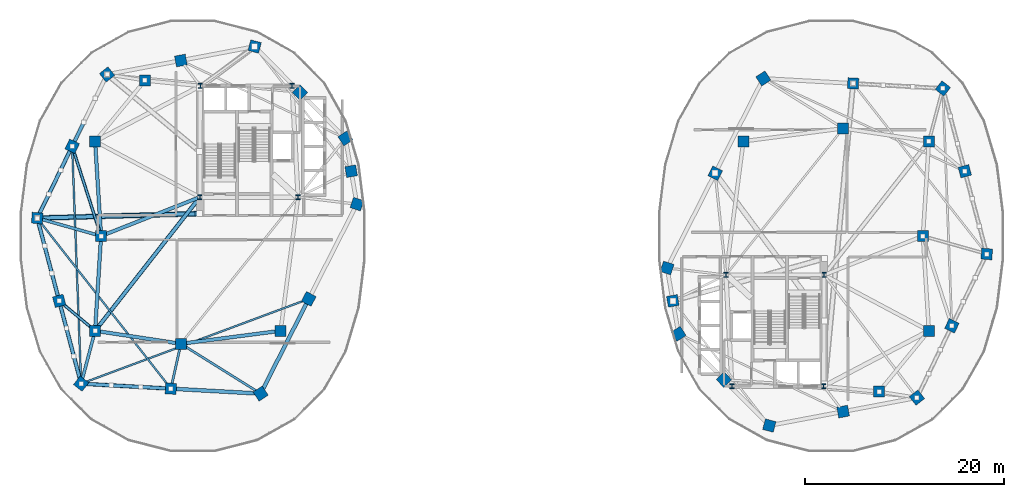
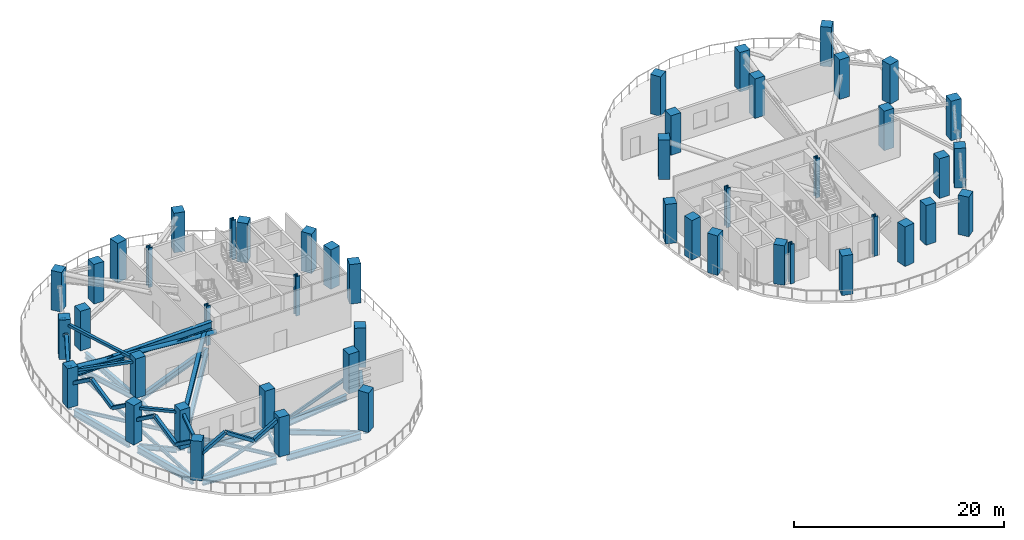
# One storey, part 1 of 12: 48 columns, 20 beams, 19 members.
"""IFC4 building model written with IfcOpenShell, lengths in metres."""

from ifc_helpers import new_model, si_unit, direction, frame, origin, origin_2d, place, context, subcontext, project, spatial, rectangle, hollow_rectangle, hollow_circle, i_section, extrude, material, material_profile, profile_set, type_object, element, save


model = new_model("IFC4")

# Units and contexts
model_context = context("Model", 3, precision=1e-05, world=origin(), true_north=direction((0.0, 1.0)))
body_context = subcontext(model_context, "Body", "Model", "MODEL_VIEW")
ifc_project = project(units=[si_unit("LENGTHUNIT", "METRE"), si_unit("AREAUNIT", "SQUARE_METRE"), si_unit("VOLUMEUNIT", "CUBIC_METRE"), si_unit("PLANEANGLEUNIT", "RADIAN"), si_unit("MASSUNIT", "GRAM", prefix="KILO"), si_unit("THERMODYNAMICTEMPERATUREUNIT", "KELVIN"), si_unit("POWERUNIT", "WATT")], contexts=[model_context])

# Site, building, storey
site_placement = place(None, origin())
site = spatial("IfcSite", under=ifc_project, at=site_placement, CompositionType="ELEMENT")
building_placement = place(site_placement, origin())
building = spatial("IfcBuilding", under=site, at=building_placement, Name="Cundina Bronze Exchange", CompositionType="ELEMENT")
storey_placement = place(building_placement, frame((0.0, 0.0, 132.199951171875)))
storey = spatial("IfcBuildingStorey", under=building, at=storey_placement, Name="L34", CompositionType="ELEMENT", Elevation=132.199951171875)

# Columns
ifc_material_1 = material(Name="Steel ASTM A992 Grade 50", Category="steel")
ifc_material_profile_1 = material_profile(ifc_material_1, i_section(OverallWidth=0.431884765625, OverallDepth=0.498046875, WebThickness=0.0556640625, FlangeThickness=0.0888671875, FilletRadius=0.01806640625, at=origin_2d()), Name="W14X500", Category="steel")
ifc_profile_set_1 = profile_set([ifc_material_profile_1], Name="Steel ASTM A992 Grade 50")
column_type_1 = type_object("IfcColumnType", Name="COL-STL-W14A", PredefinedType="COLUMN", material=ifc_profile_set_1)
for number, where, z_axis, x_axis, name in (
    (1, (-31.300048828125, 3.89990234375, 0.0), (0.0, 0.0, 1.0), (1.0, 0.0, 0.0), "L34 Core Anchor Column W1"),
    (2, (-21.449951171875, 3.89990234375, 0.0), (0.0, 0.0, 1.0), (1.0, 0.0, 0.0), "L34 Core Anchor Column W2"),
    (3, (-22.050048828125, 15.050048828125, 0.0), (0.0, 0.0, 1.0), (1.0, 0.0, 0.0), "L34 Core Anchor Column W3"),
    (4, (-31.25, 15.050048828125, 0.0), (0.0, 0.0, 1.0), (1.0, 0.0, 0.0), "L34 Core Anchor Column W4"),
    (5, (31.300048828125, -3.89990234375, 0.0), (0.0, 0.0, 1.0), (1.0, 0.0, 0.0), "L34 Core Anchor Column E1"),
    (6, (21.449951171875, -3.89990234375, 0.0), (0.0, 0.0, 1.0), (1.0, 0.0, 0.0), "L34 Core Anchor Column E2"),
    (7, (22.050048828125, -15.050048828125, 0.0), (0.0, 0.0, 1.0), (1.0, 0.0, 0.0), "L34 Core Anchor Column E3"),
    (8, (31.25, -15.050048828125, 0.0), (0.0, 0.0, 1.0), (1.0, 0.0, 0.0), "L34 Core Anchor Column E4"),
):
    element("IfcColumn", number, at=place(storey_placement, frame(where, z_axis=z_axis, x_axis=x_axis)), inside=storey, type_object=column_type_1, Name=name, PredefinedType="COLUMN", context=body_context, shape_type="SweptSolid", body=[
        extrude(i_section(OverallWidth=0.431884765625, OverallDepth=0.498046875, WebThickness=0.0556640625, FlangeThickness=0.0888671875, FilletRadius=0.01806640625, at=origin_2d()), origin(), (0.0, 0.0, 1.0), 4.60009765625),
    ])
ifc_material_2 = material(Name="Concrete C60/75", Category="concrete")
ifc_material_profile_2 = material_profile(ifc_material_2, rectangle(XDim=1.10009765625, YDim=1.10009765625, at=origin_2d()), Name="RC1100X1100", Category="concrete")
ifc_profile_set_2 = profile_set([ifc_material_profile_2], Name="Concrete C60/75")
column_type_2 = type_object("IfcColumnType", Name="COL-Z2-1100", PredefinedType="COLUMN", material=ifc_profile_set_2)
for number, where, z_axis, x_axis, name in (
    (9, (-41.199951171875, 0.0, 0.0), (0.0, 0.0, 1.0), (1.0, 0.0, 0.0), "L34 W Inner Ring Column 1"),
    (10, (-41.800048828125, 9.5, 0.0), (0.0, 0.0, 1.0), (1.0, 0.0, 0.0), "L34 W Inner Ring Column 2"),
    (11, (-36.800048828125, 15.60009765625, 0.0), (0.0, 0.0, 1.0), (1.0, 0.0, 0.0), "L34 W Inner Ring Column 3"),
    (12, (-41.800048828125, -9.5, 0.0), (0.0, 0.0, 1.0), (1.0, 0.0, 0.0), "L34 W Inner Ring Column 4"),
    (13, (-33.199951171875, -10.800048828125, 0.0), (0.0, 0.0, 1.0), (1.0, 0.0, 0.0), "L34 W Inner Ring Column 5"),
    (14, (-23.199951171875, -9.5, 0.0), (0.0, 0.0, 1.0), (1.0, 0.0, 0.0), "L34 W Inner Ring Column 6"),
    (15, (41.199951171875, 0.0, 0.0), (0.0, 0.0, 1.0), (1.0, 0.0, 0.0), "L34 E Inner Ring Column 1"),
    (16, (41.800048828125, -9.5, 0.0), (0.0, 0.0, 1.0), (1.0, 0.0, 0.0), "L34 E Inner Ring Column 2"),
    (17, (36.800048828125, -15.60009765625, 0.0), (0.0, 0.0, 1.0), (1.0, 0.0, 0.0), "L34 E Inner Ring Column 3"),
    (18, (41.800048828125, 9.5, 0.0), (0.0, 0.0, 1.0), (1.0, 0.0, 0.0), "L34 E Inner Ring Column 4"),
    (19, (33.199951171875, 10.800048828125, 0.0), (0.0, 0.0, 1.0), (1.0, 0.0, 0.0), "L34 E Inner Ring Column 5"),
    (20, (23.199951171875, 9.5, 0.0), (0.0, 0.0, 1.0), (1.0, 0.0, 0.0), "L34 E Inner Ring Column 6"),
    (21, (-15.550048828125, 3.199951171875, 0.0), (0.0, 0.0, 1.0), (0.315152163383, 0.949041155016, 0.0), "L34 W Perimeter Column 00"),
    (22, (-16.125, 6.5, 0.0), (0.0, 0.0, 1.0), (-0.171585221787, 0.985169280715, 0.0), "L34 W Perimeter Column 01"),
    (23, (-16.699951171875, 9.800048828125, 0.0), (0.0, 0.0, 1.0), (-0.544199833495, 0.838955625301, 0.0), "L34 W Perimeter Column 02"),
    (24, (-21.25, 14.39990234375, 0.0), (0.0, 0.0, 1.0), (-0.703270634186, 0.710922228581, 0.0), "L34 W Perimeter Column 03"),
    (25, (-25.800048828125, 19.0, 0.0), (0.0, 0.0, 1.0), (-0.965970984022, 0.258650455301, 0.0), "L34 W Perimeter Column 04"),
    (26, (-33.199951171875, 17.60009765625, 0.0), (0.0, 0.0, 1.0), (-0.98258037664, -0.185838110843, 0.0), "L34 W Perimeter Column 05"),
    (27, (-40.60009765625, 16.199951171875, 0.0), (0.0, 0.0, 1.0), (-0.785100778485, -0.619368038909, 0.0), "L34 W Perimeter Column 06"),
    (28, (-44.10009765625, 9.0, 0.0), (0.0, 0.0, 1.0), (-0.437115766651, -0.899405251566, 0.0), "L34 W Perimeter Column 07"),
    (29, (-47.60009765625, 1.800048828125, 0.0), (0.0, 0.0, 1.0), (-0.083503921245, -0.996507448611, 0.0), "L34 W Perimeter Column 08"),
    (30, (-45.39990234375, -6.5, 0.0), (0.0, 0.0, 1.0), (0.256289373133, -0.966600102017, 0.0), "L34 W Perimeter Column 09"),
    (31, (-43.199951171875, -14.800048828125, 0.0), (0.0, 0.0, 1.0), (0.786288432137, -0.61785961309, 0.0), "L34 W Perimeter Column 10"),
    (32, (-34.199951171875, -15.300048828125, 0.0), (0.0, 0.0, 1.0), (0.998460188734, -0.055472980025, 0.0), "L34 W Perimeter Column 11"),
    (33, (-25.199951171875, -15.800048828125, 0.0), (0.0, 0.0, 1.0), (0.838099763533, 0.545516989988, 0.0), "L34 W Perimeter Column 12"),
    (34, (-20.375, -6.300048828125, 0.0), (0.0, 0.0, 1.0), (0.452901591366, 0.891560513111, 0.0), "L34 W Perimeter Column 13"),
    (35, (15.550048828125, -3.199951171875, 0.0), (0.0, 0.0, 1.0), (-0.315152163383, -0.949041155016, 0.0), "L34 E Perimeter Column 00"),
    (36, (16.125, -6.5, 0.0), (0.0, 0.0, 1.0), (0.171585221787, -0.985169280715, 0.0), "L34 E Perimeter Column 01"),
    (37, (16.699951171875, -9.800048828125, 0.0), (0.0, 0.0, 1.0), (0.544199833495, -0.838955625301, 0.0), "L34 E Perimeter Column 02"),
    (38, (21.25, -14.39990234375, 0.0), (0.0, 0.0, 1.0), (0.703270634186, -0.710922228581, 0.0), "L34 E Perimeter Column 03"),
    (39, (25.800048828125, -19.0, 0.0), (0.0, 0.0, 1.0), (0.965970984022, -0.258650455301, 0.0), "L34 E Perimeter Column 04"),
    (40, (33.199951171875, -17.60009765625, 0.0), (0.0, 0.0, 1.0), (0.98258037664, 0.185838110843, 0.0), "L34 E Perimeter Column 05"),
    (41, (40.60009765625, -16.199951171875, 0.0), (0.0, 0.0, 1.0), (0.785100778485, 0.619368038909, 0.0), "L34 E Perimeter Column 06"),
    (42, (44.10009765625, -9.0, 0.0), (0.0, 0.0, 1.0), (0.437115766651, 0.899405251566, 0.0), "L34 E Perimeter Column 07"),
    (43, (47.60009765625, -1.800048828125, 0.0), (0.0, 0.0, 1.0), (0.083503921245, 0.996507448611, 0.0), "L34 E Perimeter Column 08"),
    (44, (45.39990234375, 6.5, 0.0), (0.0, 0.0, 1.0), (-0.256289373133, 0.966600102017, 0.0), "L34 E Perimeter Column 09"),
    (45, (43.199951171875, 14.800048828125, 0.0), (0.0, 0.0, 1.0), (-0.786288432137, 0.61785961309, 0.0), "L34 E Perimeter Column 10"),
    (46, (34.199951171875, 15.300048828125, 0.0), (0.0, 0.0, 1.0), (-0.998460188734, 0.055472980025, 0.0), "L34 E Perimeter Column 11"),
    (47, (25.199951171875, 15.800048828125, 0.0), (0.0, 0.0, 1.0), (-0.838099763533, -0.545516989988, 0.0), "L34 E Perimeter Column 12"),
    (48, (20.375, 6.300048828125, 0.0), (0.0, 0.0, 1.0), (-0.452901591366, -0.891560513111, 0.0), "L34 E Perimeter Column 13"),
):
    element("IfcColumn", number, at=place(storey_placement, frame(where, z_axis=z_axis, x_axis=x_axis)), inside=storey, type_object=column_type_2, Name=name, PredefinedType="COLUMN", context=body_context, shape_type="SweptSolid", body=[
        extrude(rectangle(XDim=1.10009765625, YDim=1.10009765625, at=origin_2d()), origin(), (0.0, 0.0, 1.0), 4.60009765625),
    ])

# Beams
ifc_material_profile_3 = material_profile(ifc_material_1, i_section(OverallWidth=0.22998046875, OverallDepth=0.616943359375, WebThickness=0.01318359375, FlangeThickness=0.022216796875, FilletRadius=0.013916015625, at=origin_2d()), Name="W24X94", Category="steel")
ifc_profile_set_3 = profile_set([ifc_material_profile_3], Name="Steel ASTM A992 Grade 50")
beam_type_1 = type_object("IfcBeamType", Name="BM-FLR-W24B", PredefinedType="BEAM", material=ifc_profile_set_3)
beam_1_placement = place(storey_placement, frame((-41.364990234375, 0.51220703125, -0.58837890625), z_axis=(-0.306710777581, 0.951802762612, 0.0), x_axis=(-0.951802762612, -0.306710777581, 0.0)))
element("IfcBeam", 49, at=beam_1_placement, inside=storey, type_object=beam_type_1, Name="L34 Leg W Radial Floor Beam 07", PredefinedType="BEAM", context=body_context, shape_type="SweptSolid", body=[
    extrude(i_section(OverallWidth=0.22998046875, OverallDepth=0.616943359375, WebThickness=0.01318359375, FlangeThickness=0.022216796875, FilletRadius=0.013916015625, at=origin_2d()), origin(), (0.0, 0.0, 1.0), 8.37939453125),
])
beam_2_placement = place(storey_placement, frame((-42.21337890625, -9.155517578125, -0.58837890625), z_axis=(-0.768243451945, 0.640157791911, 0.0), x_axis=(-0.640157791911, -0.768243451945, 0.0)))
element("IfcBeam", 50, at=beam_2_placement, inside=storey, type_object=beam_type_1, Name="L34 Leg W Radial Floor Beam 09", PredefinedType="BEAM", context=body_context, shape_type="SweptSolid", body=[
    extrude(i_section(OverallWidth=0.22998046875, OverallDepth=0.616943359375, WebThickness=0.01318359375, FlangeThickness=0.022216796875, FilletRadius=0.013916015625, at=origin_2d()), origin(), (0.0, 0.0, 1.0), 3.610107421875),
])
beam_3_placement = place(storey_placement, frame((-33.316650390625, -11.3251953125, -0.58837890625), z_axis=(-0.216930457819, -0.976187060184, 0.0), x_axis=(0.976187060184, -0.216930457819, 0.0)))
element("IfcBeam", 51, at=beam_3_placement, inside=storey, type_object=beam_type_1, Name="L34 Leg W Radial Floor Beam 11", PredefinedType="BEAM", context=body_context, shape_type="SweptSolid", body=[
    extrude(i_section(OverallWidth=0.22998046875, OverallDepth=0.616943359375, WebThickness=0.01318359375, FlangeThickness=0.022216796875, FilletRadius=0.013916015625, at=origin_2d()), origin(), (0.0, 0.0, 1.0), 3.533935546875),
])
beam_4_placement = place(storey_placement, frame((-32.743896484375, -11.085205078125, -0.58837890625), z_axis=(0.848003227047, -0.529991063055, 0.0), x_axis=(0.529991063055, 0.848003227047, 0.0)))
element("IfcBeam", 52, at=beam_4_placement, inside=storey, type_object=beam_type_1, Name="L34 Leg W Radial Floor Beam 12", PredefinedType="BEAM", context=body_context, shape_type="SweptSolid", body=[
    extrude(i_section(OverallWidth=0.22998046875, OverallDepth=0.616943359375, WebThickness=0.01318359375, FlangeThickness=0.022216796875, FilletRadius=0.013916015625, at=origin_2d()), origin(), (0.0, 0.0, 1.0), 8.358154296875),
])
ifc_material_profile_4 = material_profile(ifc_material_1, i_section(OverallWidth=0.178955078125, OverallDepth=0.409912109375, WebThickness=0.0087890625, FlangeThickness=0.014404296875, FilletRadius=0.010986328125, at=origin_2d()), Name="W16X45", Category="steel")
ifc_profile_set_4 = profile_set([ifc_material_profile_4], Name="Steel ASTM A992 Grade 50")
beam_type_2 = type_object("IfcBeamType", Name="BM-JST-W16", PredefinedType="JOIST", material=ifc_profile_set_4)
beam_5_placement = place(storey_placement, frame((-44.07958984375, 8.46240234375, -0.48486328125), z_axis=(0.03778951385, -0.999285721224, 0.0), x_axis=(0.999285721224, 0.03778951385, 0.0)))
element("IfcBeam", 53, at=beam_5_placement, inside=storey, type_object=beam_type_2, Name="L34 Leg W Lobe Floor Joist 07-10", PredefinedType="JOIST", context=body_context, shape_type="SweptSolid", body=[
    extrude(i_section(OverallWidth=0.178955078125, OverallDepth=0.409912109375, WebThickness=0.0087890625, FlangeThickness=0.014404296875, FilletRadius=0.010986328125, at=origin_2d()), origin(), (0.0, 0.0, 1.0), 22.7412109375),
])
beam_6_placement = place(storey_placement, frame((-47.268310546875, 1.37646484375, -0.48486328125), z_axis=(0.616815348306, -0.787107887201, 0.0), x_axis=(0.787107887201, 0.616815348306, 0.0)))
element("IfcBeam", 54, at=beam_6_placement, inside=storey, type_object=beam_type_2, Name="L34 Leg W Lobe Floor Joist 08-11", PredefinedType="JOIST", context=body_context, shape_type="SweptSolid", body=[
    extrude(i_section(OverallWidth=0.178955078125, OverallDepth=0.409912109375, WebThickness=0.0087890625, FlangeThickness=0.014404296875, FilletRadius=0.010986328125, at=origin_2d()), origin(), (0.0, 0.0, 1.0), 20.64892578125),
])
beam_7_placement = place(storey_placement, frame((-42.69580078125, -14.6123046875, -0.48486328125), z_axis=(0.937127917421, 0.348986054721, 0.0), x_axis=(-0.348986054721, 0.937127917421, 0.0)))
element("IfcBeam", 55, at=beam_7_placement, inside=storey, type_object=beam_type_2, Name="L34 Leg W Lobe Floor Joist 10-13", PredefinedType="JOIST", context=body_context, shape_type="SweptSolid", body=[
    extrude(i_section(OverallWidth=0.178955078125, OverallDepth=0.409912109375, WebThickness=0.0087890625, FlangeThickness=0.014404296875, FilletRadius=0.010986328125, at=origin_2d()), origin(), (0.0, 0.0, 1.0), 23.2802734375),
])
ifc_material_profile_5 = material_profile(ifc_material_1, i_section(OverallWidth=0.39990234375, OverallDepth=0.85498046875, WebThickness=0.018310546875, FlangeThickness=0.029296875, FilletRadius=0.02001953125, at=origin_2d()), Name="W33X201", Category="steel")
ifc_profile_set_5 = profile_set([ifc_material_profile_5], Name="Steel ASTM A992 Grade 50")
beam_type_3 = type_object("IfcBeamType", Name="BM-OUT-W33", PredefinedType="USERDEFINED", material=ifc_profile_set_5)
beam_8_placement = place(storey_placement, frame((-31.7998046875, 2.237548828125, 3.482666015625), z_axis=(-0.999616870117, -0.027678745936, 0.0), x_axis=(0.027678745936, -0.999616870117, 0.0)))
element("IfcBeam", 56, at=beam_8_placement, inside=storey, type_object=beam_type_3, Name="L34 W Outrigger Upper Tie Chord 3", ObjectType="GIRDER", PredefinedType="USERDEFINED", context=body_context, shape_type="SweptSolid", body=[
    extrude(i_section(OverallWidth=0.39990234375, OverallDepth=0.85498046875, WebThickness=0.018310546875, FlangeThickness=0.029296875, FilletRadius=0.02001953125, at=origin_2d()), origin(), (0.0, 0.0, 1.0), 15.268310546875),
])
ifc_material_profile_6 = material_profile(ifc_material_1, i_section(OverallWidth=0.35498046875, OverallDepth=0.695068359375, WebThickness=0.015380859375, FlangeThickness=0.02490234375, FilletRadius=0.01806640625, at=origin_2d()), Name="W27X146", Category="steel")
ifc_profile_set_6 = profile_set([ifc_material_profile_6], Name="Steel ASTM A992 Grade 50")
beam_type_4 = type_object("IfcBeamType", Name="BM-RING-W27", PredefinedType="USERDEFINED", material=ifc_profile_set_6)
for number, where, z_axis, x_axis, name in (
    (57, (-41.76611328125, 8.963134765625, -0.62744140625), (0.06303715519, -0.998011180832, 0.0), (0.998011180832, 0.06303715519, 0.0), "L34 W Inner Structural Ring Girder 03"),
    (58, (-41.23388671875, -0.536865234375, -0.62744140625), (-0.06303715519, -0.998011180832, 0.0), (0.998011180832, -0.06303715519, 0.0), "L34 W Inner Structural Ring Girder 04"),
):
    element("IfcBeam", number, at=place(storey_placement, frame(where, z_axis=z_axis, x_axis=x_axis)), inside=storey, type_object=beam_type_4, Name=name, ObjectType="GIRDER", PredefinedType="USERDEFINED", context=body_context, shape_type="SweptSolid", body=[
        extrude(i_section(OverallWidth=0.35498046875, OverallDepth=0.695068359375, WebThickness=0.015380859375, FlangeThickness=0.02490234375, FilletRadius=0.01806640625, at=origin_2d()), origin(), (0.0, 0.0, 1.0), 8.443115234375),
    ])
beam_9_placement = place(storey_placement, frame((-41.26806640625, -9.580322265625, -0.62744140625), z_axis=(0.988767489563, -0.149461873341, 0.0), x_axis=(0.149461873341, 0.988767489563, 0.0)))
element("IfcBeam", 59, at=beam_9_placement, inside=storey, type_object=beam_type_4, Name="L34 W Inner Structural Ring Girder 05", ObjectType="GIRDER", PredefinedType="USERDEFINED", context=body_context, shape_type="SweptSolid", body=[
    extrude(i_section(OverallWidth=0.35498046875, OverallDepth=0.695068359375, WebThickness=0.015380859375, FlangeThickness=0.02490234375, FilletRadius=0.01806640625, at=origin_2d()), origin(), (0.0, 0.0, 1.0), 7.621826171875),
])
beam_10_placement = place(storey_placement, frame((-32.66650390625, -10.730712890625, -0.62744140625), z_axis=(0.991654577907, 0.128923225666, 0.0), x_axis=(-0.128923225666, 0.991654577907, 0.0)))
element("IfcBeam", 60, at=beam_10_placement, inside=storey, type_object=beam_type_4, Name="L34 W Inner Structural Ring Girder 06", ObjectType="GIRDER", PredefinedType="USERDEFINED", context=body_context, shape_type="SweptSolid", body=[
    extrude(i_section(OverallWidth=0.35498046875, OverallDepth=0.695068359375, WebThickness=0.015380859375, FlangeThickness=0.02490234375, FilletRadius=0.01806640625, at=origin_2d()), origin(), (0.0, 0.0, 1.0), 9.00830078125),
])
beam_11_placement = place(storey_placement, frame((-31.48974609375, 3.8251953125, -0.62744140625), z_axis=(-0.930413235418, -0.366512225388, 0.0), x_axis=(0.366512225388, -0.930413235418, 0.0)))
element("IfcBeam", 61, at=beam_11_placement, inside=storey, type_object=beam_type_4, Name="L34 W Core-to-Waist Tie Beam 1", ObjectType="GIRDER", PredefinedType="USERDEFINED", context=body_context, shape_type="SweptSolid", body=[
    extrude(i_section(OverallWidth=0.35498046875, OverallDepth=0.695068359375, WebThickness=0.015380859375, FlangeThickness=0.02490234375, FilletRadius=0.01806640625, at=origin_2d()), origin(), (0.0, 0.0, 1.0), 9.8984375),
])
beam_12_placement = place(storey_placement, frame((-31.42578125, 3.739501953125, -0.62744140625), z_axis=(-0.616789275748, -0.787128318206, 0.0), x_axis=(0.787128318206, -0.616789275748, 0.0)))
element("IfcBeam", 62, at=beam_12_placement, inside=storey, type_object=beam_type_4, Name="L34 W Core-to-Waist Tie Beam 3", ObjectType="GIRDER", PredefinedType="USERDEFINED", context=body_context, shape_type="SweptSolid", body=[
    extrude(i_section(OverallWidth=0.35498046875, OverallDepth=0.695068359375, WebThickness=0.015380859375, FlangeThickness=0.02490234375, FilletRadius=0.01806640625, at=origin_2d()), origin(), (0.0, 0.0, 1.0), 16.281982421875),
])
ifc_material_profile_7 = material_profile(ifc_material_1, i_section(OverallWidth=0.381103515625, OverallDepth=0.77294921875, WebThickness=0.0166015625, FlangeThickness=0.027099609375, FilletRadius=0.01904296875, at=origin_2d()), Name="W30X173", Category="steel")
ifc_profile_set_7 = profile_set([ifc_material_profile_7], Name="Steel ASTM A992 Grade 50")
beam_type_5 = type_object("IfcBeamType", Name="BM-RING-W30", PredefinedType="USERDEFINED", material=ifc_profile_set_7)
beam_13_placement = place(storey_placement, frame((-44.335205078125, 8.51611328125, -0.66650390625), z_axis=(-0.437193894283, -0.899367276924, 0.0), x_axis=(0.899367276924, -0.437193894283, 0.0)))
element("IfcBeam", 63, at=beam_13_placement, inside=storey, type_object=beam_type_5, Name="L34 W Perimeter Ring Girder 07", ObjectType="GIRDER", PredefinedType="USERDEFINED", context=body_context, shape_type="SweptSolid", body=[
    extrude(i_section(OverallWidth=0.381103515625, OverallDepth=0.77294921875, WebThickness=0.0166015625, FlangeThickness=0.027099609375, FilletRadius=0.01904296875, at=origin_2d()), origin(), (0.0, 0.0, 1.0), 6.929443359375),
])
for number, where, z_axis, x_axis, name in (
    (64, (-47.462158203125, 1.280029296875, -0.66650390625), (0.256209719931, -0.966621218168, 0.0), (0.966621218168, 0.256209719931, 0.0), "L34 W Perimeter Ring Girder 08"),
    (65, (-45.26220703125, -7.02001953125, -0.66650390625), (0.256209719931, -0.966621218168, 0.0), (0.966621218168, 0.256209719931, 0.0), "L34 W Perimeter Ring Girder 09"),
):
    element("IfcBeam", number, at=place(storey_placement, frame(where, z_axis=z_axis, x_axis=x_axis)), inside=storey, type_object=beam_type_5, Name=name, ObjectType="GIRDER", PredefinedType="USERDEFINED", context=body_context, shape_type="SweptSolid", body=[
        extrude(i_section(OverallWidth=0.381103515625, OverallDepth=0.77294921875, WebThickness=0.0166015625, FlangeThickness=0.027099609375, FilletRadius=0.01904296875, at=origin_2d()), origin(), (0.0, 0.0, 1.0), 7.5107421875),
    ])
for number, where, z_axis, x_axis, name in (
    (66, (-42.662841796875, -14.829833984375, -0.66650390625), (0.99845950136, -0.055485350721, 0.0), (0.055485350721, 0.99845950136, 0.0), "L34 W Perimeter Ring Girder 10"),
    (67, (-33.662841796875, -15.329833984375, -0.66650390625), (0.99845950136, -0.055485350721, 0.0), (0.055485350721, 0.99845950136, 0.0), "L34 W Perimeter Ring Girder 11"),
):
    element("IfcBeam", number, at=place(storey_placement, frame(where, z_axis=z_axis, x_axis=x_axis)), inside=storey, type_object=beam_type_5, Name=name, ObjectType="GIRDER", PredefinedType="USERDEFINED", context=body_context, shape_type="SweptSolid", body=[
        extrude(i_section(OverallWidth=0.381103515625, OverallDepth=0.77294921875, WebThickness=0.0166015625, FlangeThickness=0.027099609375, FilletRadius=0.01904296875, at=origin_2d()), origin(), (0.0, 0.0, 1.0), 7.937744140625),
    ])
beam_14_placement = place(storey_placement, frame((-24.956298828125, -15.3203125, -0.66650390625), z_axis=(0.452832332744, 0.891595692241, 0.0), x_axis=(-0.891595692241, 0.452832332744, 0.0)))
element("IfcBeam", 68, at=beam_14_placement, inside=storey, type_object=beam_type_5, Name="L34 W Perimeter Ring Girder 12", ObjectType="GIRDER", PredefinedType="USERDEFINED", context=body_context, shape_type="SweptSolid", body=[
    extrude(i_section(OverallWidth=0.381103515625, OverallDepth=0.77294921875, WebThickness=0.0166015625, FlangeThickness=0.027099609375, FilletRadius=0.01904296875, at=origin_2d()), origin(), (0.0, 0.0, 1.0), 9.578857421875),
])

# Members
ifc_material_3 = material(Name="Steel ASTM A500 Grade C", Category="steel")
ifc_material_profile_8 = material_profile(ifc_material_3, hollow_rectangle(XDim=0.300048828125, YDim=0.300048828125, WallThickness=0.01611328125, at=origin_2d()), Name="HSS300X300X16", Category="steel")
ifc_profile_set_8 = profile_set([ifc_material_profile_8], Name="Steel ASTM A500 Grade C")
member_type_1 = type_object("IfcMemberType", Name="MBR-BLT-HSS300", PredefinedType="STRUT", material=ifc_profile_set_8)
member_1_placement = place(storey_placement, frame((-41.199951171875, 0.0, 3.91015625), z_axis=(-0.962650641065, 0.270746640342, 0.0), x_axis=(-0.270746640342, -0.962650641065, 0.0)))
element("IfcMember", 69, at=member_1_placement, inside=storey, type_object=member_type_1, Name="L34 W Outrigger Collector Strut 1", PredefinedType="STRUT", context=body_context, shape_type="SweptSolid", body=[
    extrude(hollow_rectangle(XDim=0.300048828125, YDim=0.300048828125, WallThickness=0.01611328125, at=origin_2d()), origin(), (0.0, 0.0, 1.0), 6.6484375),
])
member_2_placement = place(storey_placement, frame((-41.199951171875, 0.0, 3.91015625), z_axis=(-0.306707801861, 0.951803721509, 0.0), x_axis=(-0.951803721509, -0.306707801861, 0.0)))
element("IfcMember", 70, at=member_2_placement, inside=storey, type_object=member_type_1, Name="L34 W Outrigger Collector Strut 2", PredefinedType="STRUT", context=body_context, shape_type="SweptSolid", body=[
    extrude(hollow_rectangle(XDim=0.300048828125, YDim=0.300048828125, WallThickness=0.01611328125, at=origin_2d()), origin(), (0.0, 0.0, 1.0), 9.455810546875),
])
member_3_placement = place(storey_placement, frame((-41.800048828125, -9.5, 3.91015625), z_axis=(-0.768208468069, 0.640199773186, 0.0), x_axis=(-0.640199773186, -0.768208468069, 0.0)))
element("IfcMember", 71, at=member_3_placement, inside=storey, type_object=member_type_1, Name="L34 W Outrigger Collector Strut 3", PredefinedType="STRUT", context=body_context, shape_type="SweptSolid", body=[
    extrude(hollow_rectangle(XDim=0.300048828125, YDim=0.300048828125, WallThickness=0.01611328125, at=origin_2d()), origin(), (0.0, 0.0, 1.0), 4.68603515625),
])
member_4_placement = place(storey_placement, frame((-41.800048828125, -9.5, 3.91015625), z_axis=(-0.255372270734, -0.966842801773, 0.0), x_axis=(0.966842801773, -0.255372270734, 0.0)))
element("IfcMember", 72, at=member_4_placement, inside=storey, type_object=member_type_1, Name="L34 W Outrigger Collector Strut 5", PredefinedType="STRUT", context=body_context, shape_type="SweptSolid", body=[
    extrude(hollow_rectangle(XDim=0.300048828125, YDim=0.300048828125, WallThickness=0.01611328125, at=origin_2d()), origin(), (0.0, 0.0, 1.0), 5.481689453125),
])
ifc_material_profile_9 = material_profile(ifc_material_3, hollow_rectangle(XDim=0.35009765625, YDim=0.35009765625, WallThickness=0.01904296875, at=origin_2d()), Name="HSS350X350X19", Category="steel")
ifc_profile_set_9 = profile_set([ifc_material_profile_9], Name="Steel ASTM A500 Grade C")
member_type_2 = type_object("IfcMemberType", Name="MBR-BLT-HSS350", PredefinedType="BRACE", material=ifc_profile_set_9)
member_5_placement = place(storey_placement, frame((-47.60009765625, 1.800048828125, 2.41015625), z_axis=(0.213129937206, -0.804061777082, 0.555031790533), x_axis=(0.966618915213, 0.256218408303, 0.0)))
element("IfcMember", 73, at=member_5_placement, inside=storey, type_object=member_type_2, Name="L34 W Perimeter Belt M-Truss Diagonal 1A", PredefinedType="BRACE", context=body_context, shape_type="SweptSolid", body=[
    extrude(hollow_rectangle(XDim=0.35009765625, YDim=0.35009765625, WallThickness=0.01904296875, at=origin_2d()), origin(), (0.0, 0.0, 1.0), 3.441162109375),
])
for number, where, z_axis, x_axis, name in (
    (74, (-46.86669921875, -0.966796875, 4.320068359375), (0.213142096165, -0.804036695654, -0.555063454827), (0.966613315255, 0.256239533977, 0.0), "L34 W Perimeter Belt M-Truss Diagonal 1B"),
    (75, (-46.13330078125, -3.7333984375, 2.41015625), (0.213142096165, -0.804036695654, 0.555063454827), (0.966613315255, 0.256239533977, 0.0), "L34 W Perimeter Belt M-Truss Diagonal 1C"),
):
    element("IfcMember", number, at=place(storey_placement, frame(where, z_axis=z_axis, x_axis=x_axis)), inside=storey, type_object=member_type_2, Name=name, PredefinedType="BRACE", context=body_context, shape_type="SweptSolid", body=[
        extrude(hollow_rectangle(XDim=0.35009765625, YDim=0.35009765625, WallThickness=0.01904296875, at=origin_2d()), origin(), (0.0, 0.0, 1.0), 3.44091796875),
    ])
member_6_placement = place(storey_placement, frame((-44.10009765625, 9.0, 2.41015625), z_axis=(-0.355482423066, -0.731350401577, 0.582029927929), x_axis=(0.899384841713, -0.437157759278, 0.0)))
element("IfcMember", 76, at=member_6_placement, inside=storey, type_object=member_type_2, Name="L34 W Perimeter Belt M-Truss Diagonal 2A", PredefinedType="BRACE", context=body_context, shape_type="SweptSolid", body=[
    extrude(hollow_rectangle(XDim=0.35009765625, YDim=0.35009765625, WallThickness=0.01904296875, at=origin_2d()), origin(), (0.0, 0.0, 1.0), 3.281494140625),
])
member_7_placement = place(storey_placement, frame((-45.2666015625, 6.60009765625, 4.320068359375), z_axis=(-0.355528074031, -0.731365661394, -0.581982867367), x_axis=(0.899366355353, -0.437195790075, 0.0)))
element("IfcMember", 77, at=member_7_placement, inside=storey, type_object=member_type_2, Name="L34 W Perimeter Belt M-Truss Diagonal 2B", PredefinedType="BRACE", context=body_context, shape_type="SweptSolid", body=[
    extrude(hollow_rectangle(XDim=0.35009765625, YDim=0.35009765625, WallThickness=0.01904296875, at=origin_2d()), origin(), (0.0, 0.0, 1.0), 3.28173828125),
])
member_8_placement = place(storey_placement, frame((-46.433349609375, 4.199951171875, 2.41015625), z_axis=(-0.355547418584, -0.731331057686, 0.582014533497), x_axis=(0.899348867178, -0.437231763606, 0.0)))
element("IfcMember", 78, at=member_8_placement, inside=storey, type_object=member_type_2, Name="L34 W Perimeter Belt M-Truss Diagonal 2C", PredefinedType="BRACE", context=body_context, shape_type="SweptSolid", body=[
    extrude(hollow_rectangle(XDim=0.35009765625, YDim=0.35009765625, WallThickness=0.01904296875, at=origin_2d()), origin(), (0.0, 0.0, 1.0), 3.281494140625),
])
for number, where, z_axis, x_axis, name in (
    (79, (-45.39990234375, -6.5, 2.41015625), (0.213074365219, -0.804048853369, 0.555071847856), (0.966634439785, 0.256159832569, 0.0), "L34 W Perimeter Belt M-Truss Diagonal 3A"),
    (80, (-44.666748046875, -9.2666015625, 4.320068359375), (0.213142096165, -0.804036695654, -0.555063454827), (0.966613315255, 0.256239533977, 0.0), "L34 W Perimeter Belt M-Truss Diagonal 3B"),
):
    element("IfcMember", number, at=place(storey_placement, frame(where, z_axis=z_axis, x_axis=x_axis)), inside=storey, type_object=member_type_2, Name=name, PredefinedType="BRACE", context=body_context, shape_type="SweptSolid", body=[
        extrude(hollow_rectangle(XDim=0.35009765625, YDim=0.35009765625, WallThickness=0.01904296875, at=origin_2d()), origin(), (0.0, 0.0, 1.0), 3.44091796875),
    ])
member_9_placement = place(storey_placement, frame((-43.933349609375, -12.033203125, 2.41015625), z_axis=(0.213129937206, -0.804061777082, 0.555031790533), x_axis=(0.966618915213, 0.256218408303, 0.0)))
element("IfcMember", 81, at=member_9_placement, inside=storey, type_object=member_type_2, Name="L34 W Perimeter Belt M-Truss Diagonal 3C", PredefinedType="BRACE", context=body_context, shape_type="SweptSolid", body=[
    extrude(hollow_rectangle(XDim=0.35009765625, YDim=0.35009765625, WallThickness=0.01904296875, at=origin_2d()), origin(), (0.0, 0.0, 1.0), 3.441162109375),
])
member_10_placement = place(storey_placement, frame((-42.933349609375, 11.39990234375, 2.41015625), z_axis=(-0.355547418584, -0.731331057686, 0.582014533497), x_axis=(0.899348867178, -0.437231763606, 0.0)))
element("IfcMember", 82, at=member_10_placement, inside=storey, type_object=member_type_2, Name="L34 W Perimeter Belt M-Truss Diagonal 4C", PredefinedType="BRACE", context=body_context, shape_type="SweptSolid", body=[
    extrude(hollow_rectangle(XDim=0.35009765625, YDim=0.35009765625, WallThickness=0.01904296875, at=origin_2d()), origin(), (0.0, 0.0, 1.0), 3.281494140625),
])
for number, where, z_axis, x_axis, name in (
    (83, (-43.199951171875, -14.800048828125, 2.41015625), (0.842631169313, -0.046835700573, 0.536450491336), (0.055497021194, 0.998458852752, 0.0), "L34 W Perimeter Belt M-Truss Diagonal 5A"),
    (84, (-40.199951171875, -14.966796875, 4.320068359375), (0.842633873613, -0.046767277165, -0.536452212994), (0.055416016115, 0.998463351935, 0.0), "L34 W Perimeter Belt M-Truss Diagonal 5B"),
    (85, (-37.199951171875, -15.13330078125, 2.41015625), (0.842631169313, -0.046835700573, 0.536450491336), (0.055497021194, 0.998458852752, 0.0), "L34 W Perimeter Belt M-Truss Diagonal 5C"),
):
    element("IfcMember", number, at=place(storey_placement, frame(where, z_axis=z_axis, x_axis=x_axis)), inside=storey, type_object=member_type_2, Name=name, PredefinedType="BRACE", context=body_context, shape_type="SweptSolid", body=[
        extrude(hollow_rectangle(XDim=0.35009765625, YDim=0.35009765625, WallThickness=0.01904296875, at=origin_2d()), origin(), (0.0, 0.0, 1.0), 3.560302734375),
    ])
ifc_material_profile_10 = material_profile(ifc_material_1, i_section(OverallWidth=0.406005859375, OverallDepth=0.416015625, WebThickness=0.02978515625, FlangeThickness=0.048095703125, FilletRadius=0.01806640625, at=origin_2d()), Name="W14X257", Category="steel")
ifc_profile_set_10 = profile_set([ifc_material_profile_10], Name="Steel ASTM A992 Grade 50")
member_type_3 = type_object("IfcMemberType", Name="MBR-CHORD-W14", PredefinedType="CHORD", material=ifc_profile_set_10)
member_11_placement = place(storey_placement, frame((-31.300048828125, 3.89990234375, 2.650146484375), z_axis=(-0.616786098303, -0.787130808024, 0.0), x_axis=(0.787130808024, -0.616786098303, 0.0)))
element("IfcMember", 86, at=member_11_placement, inside=storey, type_object=member_type_3, Name="L34 West Outrigger Mid-Height Tie Chord 1", PredefinedType="CHORD", context=body_context, shape_type="SweptSolid", body=[
    extrude(i_section(OverallWidth=0.406005859375, OverallDepth=0.416015625, WebThickness=0.02978515625, FlangeThickness=0.048095703125, FilletRadius=0.01806640625, at=origin_2d()), origin(), (0.0, 0.0, 1.0), 17.023681640625),
])
ifc_material_4 = material(Name="Steel ASTM A501 Grade B", Category="steel")
ifc_material_profile_11 = material_profile(ifc_material_4, hollow_circle(Radius=0.25390625, WallThickness=0.02490234375, at=origin_2d()), Name="CHS508X25", Category="steel")
ifc_profile_set_11 = profile_set([ifc_material_profile_11], Name="Steel ASTM A501 Grade B")
member_type_4 = type_object("IfcMemberType", Name="MBR-OUT-CHS508", PredefinedType="BRACE", material=ifc_profile_set_11)
member_12_placement = place(storey_placement, frame((-31.35009765625, 2.25, 2.449951171875), z_axis=(-0.994130647078, -0.027526784594, 0.104625678828), x_axis=(0.027678694325, -0.999616871547, 0.0)))
element("IfcMember", 87, at=member_12_placement, inside=storey, type_object=member_type_4, Name="L34 W Outrigger Truss Diagonal 3", PredefinedType="BRACE", context=body_context, shape_type="SweptSolid", body=[
    extrude(hollow_circle(Radius=0.25390625, WallThickness=0.02490234375, at=origin_2d()), origin(), (0.0, 0.0, 1.0), 16.345947265625),
])

save(model, "model.ifc")
